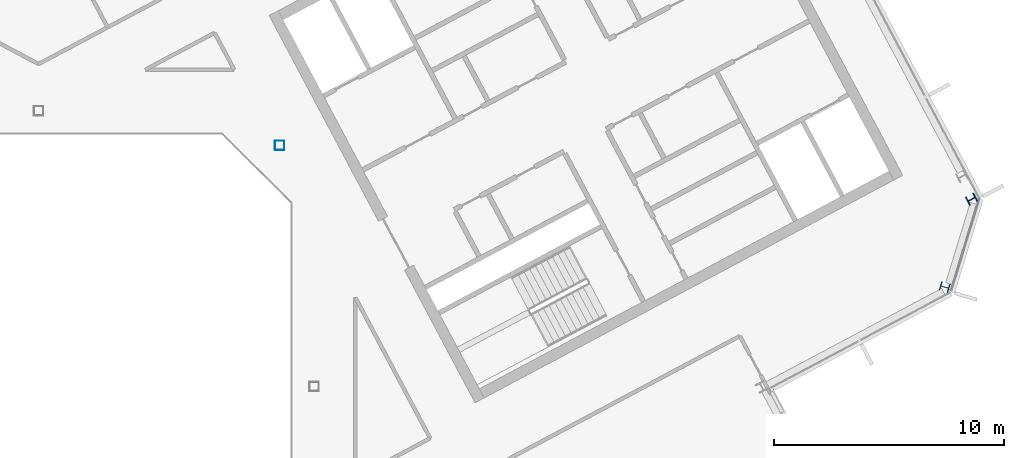
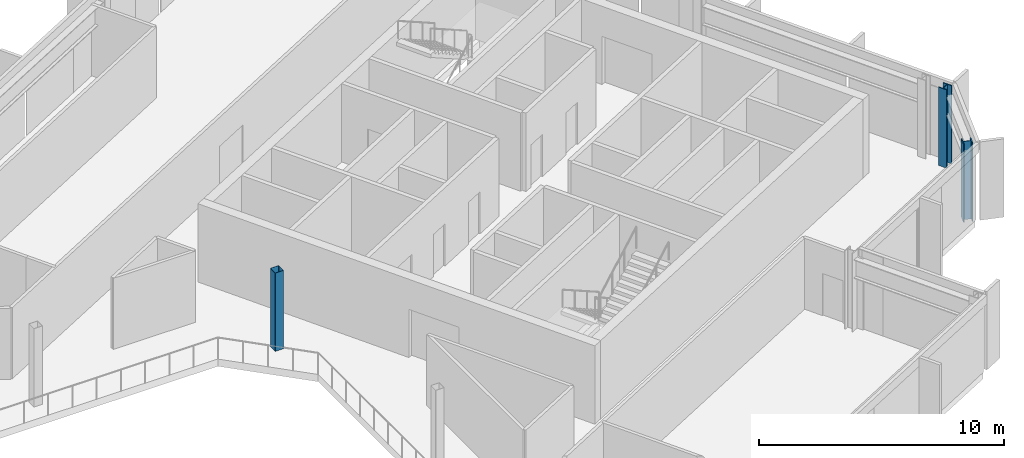
# One storey, part 6 of 25: 3 columns.
"""IFC4 building model written with IfcOpenShell, lengths in metres."""

from ifc_helpers import new_model, si_unit, direction, frame, origin, origin_2d, place, context, subcontext, project, spatial, hollow_rectangle, i_section, extrude, material, material_profile, profile_set, type_object, element, save


model = new_model("IFC4")

# Units and contexts
model_context = context("Model", 3, precision=1e-05, world=origin(), true_north=direction((0.0, 1.0)))
body_context = subcontext(model_context, "Body", "Model", "MODEL_VIEW")
ifc_project = project(units=[si_unit("LENGTHUNIT", "METRE"), si_unit("AREAUNIT", "SQUARE_METRE"), si_unit("VOLUMEUNIT", "CUBIC_METRE"), si_unit("PLANEANGLEUNIT", "RADIAN"), si_unit("MASSUNIT", "GRAM", prefix="KILO")], contexts=[model_context])

# Site, building, storey
site_placement = place(None, origin())
site = spatial("IfcSite", under=ifc_project, at=site_placement, CompositionType="ELEMENT")
building_placement = place(site_placement, origin())
building = spatial("IfcBuilding", under=site, at=building_placement, Name="Cormorant Relay Tower", CompositionType="ELEMENT")
storey_placement = place(building_placement, frame((0.0, 0.0, 297.0)))
storey = spatial("IfcBuildingStorey", under=building, at=storey_placement, Name="L67", CompositionType="ELEMENT", Elevation=297.0)

# Columns
ifc_material_1 = material(Name="Steel ASTM A500 Grade C (Fy 345 MPa)", Category="steel")
ifc_material_profile_1 = material_profile(ifc_material_1, hollow_rectangle(XDim=0.406494140625, YDim=0.406494140625, WallThickness=0.0087890625, InnerFilletRadius=0.00439453125, OuterFilletRadius=0.01318359375, at=origin_2d()), Name="HSS406x406x9")
ifc_profile_set_1 = profile_set([ifc_material_profile_1], Name="Steel ASTM A500 Grade C (Fy 345 MPa)")
column_type_1 = type_object("IfcColumnType", Name="Column HSS406x406x9", PredefinedType="COLUMN", material=ifc_profile_set_1)
column_placement = place(storey_placement, frame((10.5, 10.5, 0.0), z_axis=(0.0, 0.0, 1.0), x_axis=(1.0, 0.0, 0.0)))
element("IfcColumn", 1, at=column_placement, inside=storey, type_object=column_type_1, Name="Column L67-024", PredefinedType="COLUMN", context=body_context, shape_type="SweptSolid", body=[
    extrude(hollow_rectangle(XDim=0.406494140625, YDim=0.406494140625, WallThickness=0.0087890625, InnerFilletRadius=0.00439453125, OuterFilletRadius=0.01318359375, at=origin_2d()), origin(), (0.0, 0.0, 1.0), 3.89990234375),
])
ifc_material_2 = material(Name="Steel ASTM A992 (Fy 345 MPa)", Category="steel")
ifc_material_profile_2 = material_profile(ifc_material_2, i_section(OverallWidth=0.40380859375, OverallDepth=0.406494140625, WebThickness=0.027099609375, FlangeThickness=0.043701171875, FilletRadius=0.01513671875, at=origin_2d()), Name="W360x347")
ifc_profile_set_2 = profile_set([ifc_material_profile_2], Name="Steel ASTM A992 (Fy 345 MPa)")
column_type_2 = type_object("IfcColumnType", Name="Column W360x347", PredefinedType="COLUMN", material=ifc_profile_set_2)
for number, where, z_axis, x_axis, name in (
    (2, (39.464111328125, 4.330078125, 0.0), (0.0, 0.0, 1.0), (0.292371704723, 0.956304755963, 0.0), "Column L67-019"),
    (3, (40.633056640625, 8.153076171875, 0.0), (0.0, 0.0, 1.0), (-0.469471562786, 0.882947592859, 0.0), "Column L67-020"),
):
    element("IfcColumn", number, at=place(storey_placement, frame(where, z_axis=z_axis, x_axis=x_axis)), inside=storey, type_object=column_type_2, Name=name, PredefinedType="COLUMN", context=body_context, shape_type="SweptSolid", body=[
        extrude(i_section(OverallWidth=0.40380859375, OverallDepth=0.406494140625, WebThickness=0.027099609375, FlangeThickness=0.043701171875, FilletRadius=0.01513671875, at=origin_2d()), origin(), (0.0, 0.0, 1.0), 3.89990234375),
    ])

save(model, "model.ifc")
